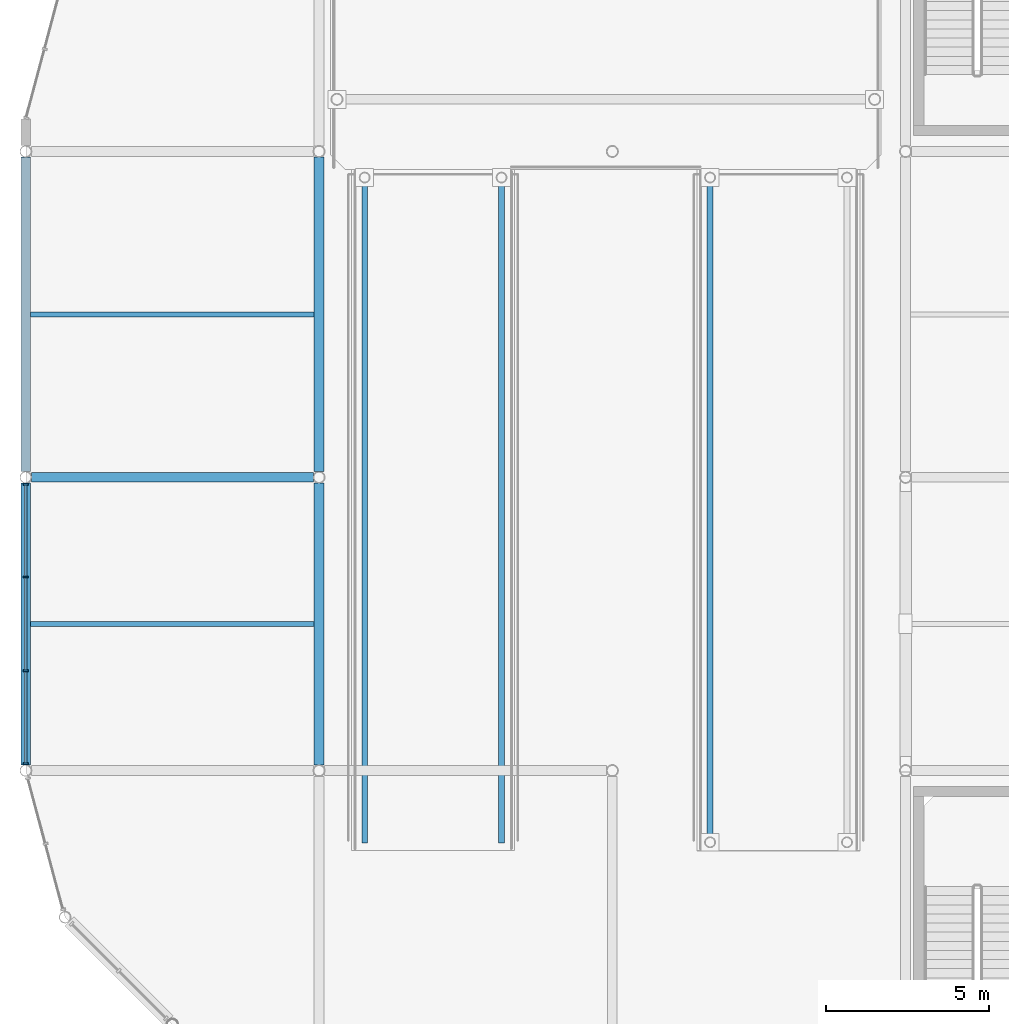
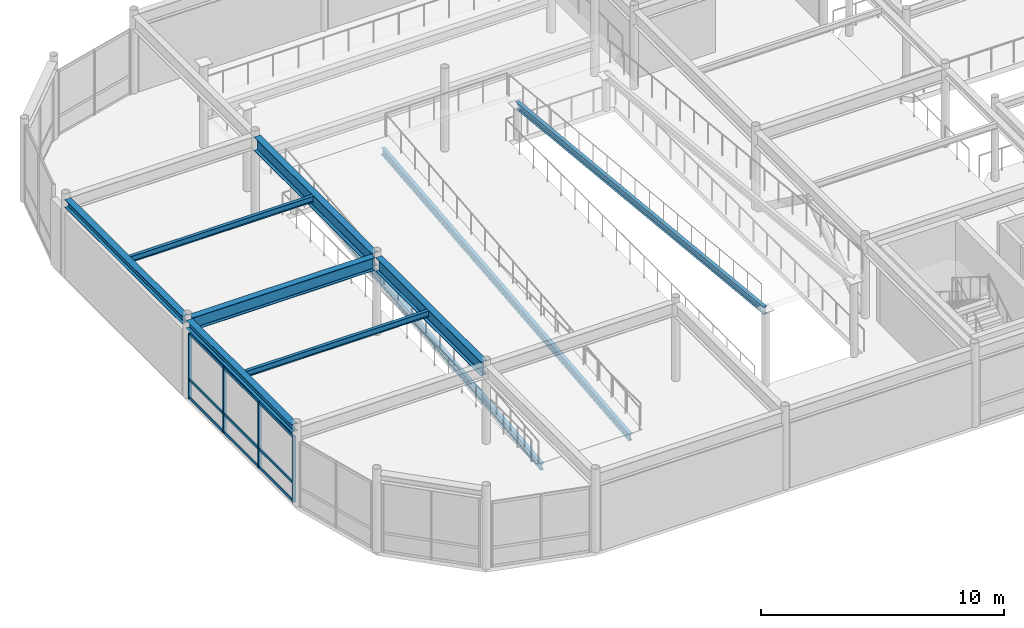
# One storey, part 18 of 70: 13 members, 10 beams, 1 element without a shape of its own.
"""IFC4 building model written with IfcOpenShell, lengths in metres."""

from ifc_helpers import new_model, si_unit, direction, frame, origin, origin_2d, place, context, subcontext, project, spatial, rectangle, i_section, extrude, material, material_profile, profile_set, type_object, element, aggregate, save


model = new_model("IFC4")

# Units and contexts
model_context = context("Model", 3, precision=1e-05, world=origin(), true_north=direction((0.0, 1.0)))
body_context = subcontext(model_context, "Body", "Model", "MODEL_VIEW")
ifc_project = project(units=[si_unit("LENGTHUNIT", "METRE"), si_unit("AREAUNIT", "SQUARE_METRE"), si_unit("VOLUMEUNIT", "CUBIC_METRE"), si_unit("PLANEANGLEUNIT", "RADIAN"), si_unit("MASSUNIT", "GRAM", prefix="KILO")], contexts=[model_context])

# Site, building, storey
site_placement = place(None, origin())
site = spatial("IfcSite", under=ifc_project, at=site_placement, CompositionType="ELEMENT")
building_placement = place(site_placement, origin())
building = spatial("IfcBuilding", under=site, at=building_placement, Name="Suzunagisa Mobility Hub", CompositionType="ELEMENT")
storey_placement = place(building_placement, frame((0.0, 0.0, 13.5)))
storey = spatial("IfcBuildingStorey", under=building, at=storey_placement, Name="L03", CompositionType="ELEMENT", Elevation=13.5)

# Curtain wall, members
ifc_material_1 = material(Name="Thermally Broken Anodized Aluminum and Low-E Glazing", Category="aluminium")
curtain_wall_type = type_object("IfcCurtainWallType", Name="Unitised Curtain Wall CW-12 8750x3300", PredefinedType="USERDEFINED", material=ifc_material_1)
curtain_wall_placement = place(storey_placement, origin())
curtain_wall = element("IfcCurtainWall", 1, at=curtain_wall_placement, inside=storey, type_object=curtain_wall_type, Name="L03 Unitised Curtain Wall CW-79", ObjectType="UNITISED CURTAIN WALL", PredefinedType="USERDEFINED")
ifc_material_2 = material(Name="Anodized Aluminum 6063-T6", Category="aluminium")
ifc_material_profile_1 = material_profile(ifc_material_2, rectangle(XDim=0.06494140625, YDim=0.139892578125, at=origin_2d()), Name="TRAN-65x140")
ifc_profile_set_1 = profile_set([ifc_material_profile_1], Name="Anodized Aluminum 6063-T6")
member_type_1 = type_object("IfcMemberType", Name="Curtain Wall Framing CM-01 TRAN-65x140", PredefinedType="USERDEFINED", material=ifc_profile_set_1)
member_1_placement = place(storey_placement, frame((0.0, 97.76416015625, 0.032470703125), z_axis=(0.0, -1.0, 0.0), x_axis=(1.0, 0.0, 0.0)))
member_1 = element("IfcMember", 2, at=member_1_placement, type_object=member_type_1, Name="Curtain Wall Transom 79-T1.1", ObjectType="TRANSOM", PredefinedType="USERDEFINED", context=body_context, shape_type="SweptSolid", body=[
    extrude(rectangle(XDim=0.06494140625, YDim=0.139892578125, at=origin_2d()), origin(), (0.0, 0.0, 1.0), 2.79541015625),
])
member_2_placement = place(storey_placement, frame((0.0, 97.76416015625, 0.949951171875), z_axis=(0.0, -1.0, 0.0), x_axis=(1.0, 0.0, 0.0)))
member_2 = element("IfcMember", 3, at=member_2_placement, type_object=member_type_1, Name="Curtain Wall Transom 79-T1.2", ObjectType="TRANSOM", PredefinedType="USERDEFINED", context=body_context, shape_type="SweptSolid", body=[
    extrude(rectangle(XDim=0.06494140625, YDim=0.139892578125, at=origin_2d()), origin(), (0.0, 0.0, 1.0), 2.79541015625),
])
member_3_placement = place(storey_placement, frame((0.0, 97.76416015625, 3.267578125), z_axis=(0.0, -1.0, 0.0), x_axis=(1.0, 0.0, 0.0)))
member_3 = element("IfcMember", 4, at=member_3_placement, type_object=member_type_1, Name="Curtain Wall Transom 79-T1.3", ObjectType="TRANSOM", PredefinedType="USERDEFINED", context=body_context, shape_type="SweptSolid", body=[
    extrude(rectangle(XDim=0.06494140625, YDim=0.139892578125, at=origin_2d()), origin(), (0.0, 0.0, 1.0), 2.79541015625),
])
member_4_placement = place(storey_placement, frame((0.0, 94.91259765625, 0.032470703125), z_axis=(0.0, -1.0, 0.0), x_axis=(1.0, 0.0, 0.0)))
member_4 = element("IfcMember", 5, at=member_4_placement, type_object=member_type_1, Name="Curtain Wall Transom 79-T2.1", ObjectType="TRANSOM", PredefinedType="USERDEFINED", context=body_context, shape_type="SweptSolid", body=[
    extrude(rectangle(XDim=0.06494140625, YDim=0.139892578125, at=origin_2d()), origin(), (0.0, 0.0, 1.0), 2.8251953125),
])
member_5_placement = place(storey_placement, frame((0.0, 94.91259765625, 0.949951171875), z_axis=(0.0, -1.0, 0.0), x_axis=(1.0, 0.0, 0.0)))
member_5 = element("IfcMember", 6, at=member_5_placement, type_object=member_type_1, Name="Curtain Wall Transom 79-T2.2", ObjectType="TRANSOM", PredefinedType="USERDEFINED", context=body_context, shape_type="SweptSolid", body=[
    extrude(rectangle(XDim=0.06494140625, YDim=0.139892578125, at=origin_2d()), origin(), (0.0, 0.0, 1.0), 2.8251953125),
])
member_6_placement = place(storey_placement, frame((0.0, 94.91259765625, 3.267578125), z_axis=(0.0, -1.0, 0.0), x_axis=(1.0, 0.0, 0.0)))
member_6 = element("IfcMember", 7, at=member_6_placement, type_object=member_type_1, Name="Curtain Wall Transom 79-T2.3", ObjectType="TRANSOM", PredefinedType="USERDEFINED", context=body_context, shape_type="SweptSolid", body=[
    extrude(rectangle(XDim=0.06494140625, YDim=0.139892578125, at=origin_2d()), origin(), (0.0, 0.0, 1.0), 2.8251953125),
])
member_7_placement = place(storey_placement, frame((0.0, 92.03125, 0.032470703125), z_axis=(0.0, -1.0, 0.0), x_axis=(1.0, 0.0, 0.0)))
member_7 = element("IfcMember", 8, at=member_7_placement, type_object=member_type_1, Name="Curtain Wall Transom 79-T3.1", ObjectType="TRANSOM", PredefinedType="USERDEFINED", context=body_context, shape_type="SweptSolid", body=[
    extrude(rectangle(XDim=0.06494140625, YDim=0.139892578125, at=origin_2d()), origin(), (0.0, 0.0, 1.0), 2.79541015625),
])
member_8_placement = place(storey_placement, frame((0.0, 92.03125, 0.949951171875), z_axis=(0.0, -1.0, 0.0), x_axis=(1.0, 0.0, 0.0)))
member_8 = element("IfcMember", 9, at=member_8_placement, type_object=member_type_1, Name="Curtain Wall Transom 79-T3.2", ObjectType="TRANSOM", PredefinedType="USERDEFINED", context=body_context, shape_type="SweptSolid", body=[
    extrude(rectangle(XDim=0.06494140625, YDim=0.139892578125, at=origin_2d()), origin(), (0.0, 0.0, 1.0), 2.79541015625),
])
member_9_placement = place(storey_placement, frame((0.0, 92.03125, 3.267578125), z_axis=(0.0, -1.0, 0.0), x_axis=(1.0, 0.0, 0.0)))
member_9 = element("IfcMember", 10, at=member_9_placement, type_object=member_type_1, Name="Curtain Wall Transom 79-T3.3", ObjectType="TRANSOM", PredefinedType="USERDEFINED", context=body_context, shape_type="SweptSolid", body=[
    extrude(rectangle(XDim=0.06494140625, YDim=0.139892578125, at=origin_2d()), origin(), (0.0, 0.0, 1.0), 2.79541015625),
])
ifc_material_profile_2 = material_profile(ifc_material_2, rectangle(XDim=0.06005859375, YDim=0.14990234375, at=origin_2d()), Name="MULL-60x150")
ifc_profile_set_2 = profile_set([ifc_material_profile_2], Name="Anodized Aluminum 6063-T6")
member_type_2 = type_object("IfcMemberType", Name="Curtain Wall Framing CM-03 MULL-60x150", PredefinedType="MULLION", material=ifc_profile_set_2)
member_10_placement = place(storey_placement, frame((0.0, 97.792236328125, 0.0), z_axis=(0.0, 0.0, 1.0), x_axis=(0.0, -1.0, 0.0)))
member_10 = element("IfcMember", 11, at=member_10_placement, type_object=member_type_2, Name="Curtain Wall Mullion 79-M1", PredefinedType="MULLION", context=body_context, shape_type="SweptSolid", body=[
    extrude(rectangle(XDim=0.06005859375, YDim=0.14990234375, at=origin_2d()), origin(), (0.0, 0.0, 1.0), 3.300048828125),
])
member_11_placement = place(storey_placement, frame((0.0, 94.940673828125, 0.0), z_axis=(0.0, 0.0, 1.0), x_axis=(0.0, -1.0, 0.0)))
member_11 = element("IfcMember", 12, at=member_11_placement, type_object=member_type_2, Name="Curtain Wall Mullion 79-M2", PredefinedType="MULLION", context=body_context, shape_type="SweptSolid", body=[
    extrude(rectangle(XDim=0.06005859375, YDim=0.14990234375, at=origin_2d()), origin(), (0.0, 0.0, 1.0), 3.300048828125),
])
member_12_placement = place(storey_placement, frame((0.0, 92.059326171875, 0.0), z_axis=(0.0, 0.0, 1.0), x_axis=(0.0, -1.0, 0.0)))
member_12 = element("IfcMember", 13, at=member_12_placement, type_object=member_type_2, Name="Curtain Wall Mullion 79-M3", PredefinedType="MULLION", context=body_context, shape_type="SweptSolid", body=[
    extrude(rectangle(XDim=0.06005859375, YDim=0.14990234375, at=origin_2d()), origin(), (0.0, 0.0, 1.0), 3.300048828125),
])
member_13_placement = place(storey_placement, frame((0.0, 89.207763671875, 0.0), z_axis=(0.0, 0.0, 1.0), x_axis=(0.0, -1.0, 0.0)))
member_13 = element("IfcMember", 14, at=member_13_placement, type_object=member_type_2, Name="Curtain Wall Mullion 79-M4", PredefinedType="MULLION", context=body_context, shape_type="SweptSolid", body=[
    extrude(rectangle(XDim=0.06005859375, YDim=0.14990234375, at=origin_2d()), origin(), (0.0, 0.0, 1.0), 3.300048828125),
])
aggregate(curtain_wall, [member_10, member_11, member_12, member_13, member_1, member_2, member_3, member_4, member_5, member_6, member_7, member_8, member_9])

# Beams
ifc_material_3 = material(Name="Steel SN400B", Category="steel")
ifc_material_profile_3 = material_profile(ifc_material_3, i_section(OverallWidth=0.175048828125, OverallDepth=0.35009765625, WebThickness=0.007080078125, FlangeThickness=0.010986328125, FilletRadius=0.008056640625, at=origin_2d()), Name="H-350x175x7x11")
ifc_profile_set_3 = profile_set([ifc_material_profile_3], Name="Steel SN400B")
beam_type_1 = type_object("IfcBeamType", Name="Steel Beam BM-03 H-350x175x7x11", PredefinedType="JOIST", material=ifc_profile_set_3)
for number, where, z_axis, x_axis, name in (
    (15, (10.39990234375, 86.800048828125, -0.4091796875), (0.0, 0.99498968204, 0.099977660672), (-1.0, 0.0, 0.0), "L03 Vehicle Ramp Stringer Beam VR-06-F1-2327"),
    (16, (14.60009765625, 86.800048828125, -0.4091796875), (0.0, 0.99498968204, 0.099977660672), (-1.0, 0.0, 0.0), "L03 Vehicle Ramp Stringer Beam VR-06-F1-2328"),
    (17, (21.0, 107.199951171875, 1.69091796875), (0.0, -0.994990866518, 0.099965871902), (1.0, 0.0, 0.0), "L03 Vehicle Ramp Stringer Beam VR-06-F2-2329"),
):
    element("IfcBeam", number, at=place(storey_placement, frame(where, z_axis=z_axis, x_axis=x_axis)), inside=storey, type_object=beam_type_1, Name=name, PredefinedType="JOIST", context=body_context, shape_type="SweptSolid", body=[
        extrude(i_section(OverallWidth=0.175048828125, OverallDepth=0.35009765625, WebThickness=0.007080078125, FlangeThickness=0.010986328125, FilletRadius=0.008056640625, at=origin_2d()), origin(), (0.0, 0.0, 1.0), 20.502685546875),
    ])
ifc_material_4 = material(Name="Steel SN490B", Category="steel")
ifc_material_profile_4 = material_profile(ifc_material_4, i_section(OverallWidth=0.300048828125, OverallDepth=0.64990234375, WebThickness=0.012939453125, FlangeThickness=0.02197265625, FilletRadius=0.01611328125, at=origin_2d()), Name="H-650x300x13x22")
ifc_profile_set_4 = profile_set([ifc_material_profile_4], Name="Steel SN490B")
beam_type_2 = type_object("IfcBeamType", Name="Steel Beam BM-10 H-650x300x13x22", PredefinedType="BEAM", material=ifc_profile_set_4)
beam_1_placement = place(storey_placement, frame((0.173828125, 98.0, 3.625), z_axis=(1.0, 0.0, 0.0), x_axis=(0.0, 1.0, 0.0)))
element("IfcBeam", 18, at=beam_1_placement, inside=storey, type_object=beam_type_2, Name="L03 Primary Girder GX-560", PredefinedType="BEAM", context=body_context, shape_type="SweptSolid", body=[
    extrude(i_section(OverallWidth=0.300048828125, OverallDepth=0.64990234375, WebThickness=0.012939453125, FlangeThickness=0.02197265625, FilletRadius=0.01611328125, at=origin_2d()), origin(), (0.0, 0.0, 1.0), 8.65234375),
])
ifc_material_profile_5 = material_profile(ifc_material_4, i_section(OverallWidth=0.300048828125, OverallDepth=0.699951171875, WebThickness=0.012939453125, FlangeThickness=0.02392578125, FilletRadius=0.01806640625, at=origin_2d()), Name="H-700x300x13x24")
ifc_profile_set_5 = profile_set([ifc_material_profile_5], Name="Steel SN490B")
beam_type_3 = type_object("IfcBeamType", Name="Steel Beam BM-11 H-700x300x13x24", PredefinedType="BEAM", material=ifc_profile_set_5)
beam_2_placement = place(storey_placement, frame((9.0, 89.173828125, 3.60009765625), z_axis=(0.0, 1.0, 0.0), x_axis=(-1.0, 0.0, 0.0)))
element("IfcBeam", 19, at=beam_2_placement, inside=storey, type_object=beam_type_3, Name="L03 Primary Girder GY-570", PredefinedType="BEAM", context=body_context, shape_type="SweptSolid", body=[
    extrude(i_section(OverallWidth=0.300048828125, OverallDepth=0.699951171875, WebThickness=0.012939453125, FlangeThickness=0.02392578125, FilletRadius=0.01806640625, at=origin_2d()), origin(), (0.0, 0.0, 1.0), 8.65234375),
])
beam_3_placement = place(storey_placement, frame((9.0, 98.173828125, 3.60009765625), z_axis=(0.0, 1.0, 0.0), x_axis=(-1.0, 0.0, 0.0)))
element("IfcBeam", 20, at=beam_3_placement, inside=storey, type_object=beam_type_3, Name="L03 Primary Girder GY-571", PredefinedType="BEAM", context=body_context, shape_type="SweptSolid", body=[
    extrude(i_section(OverallWidth=0.300048828125, OverallDepth=0.699951171875, WebThickness=0.012939453125, FlangeThickness=0.02392578125, FilletRadius=0.01806640625, at=origin_2d()), origin(), (0.0, 0.0, 1.0), 9.65234375),
])
ifc_material_profile_6 = material_profile(ifc_material_4, i_section(OverallWidth=0.300048828125, OverallDepth=0.389892578125, WebThickness=0.010009765625, FlangeThickness=0.01611328125, FilletRadius=0.012939453125, at=origin_2d()), Name="H-390x300x10x16")
ifc_profile_set_6 = profile_set([ifc_material_profile_6], Name="Steel SN490B")
beam_type_4 = type_object("IfcBeamType", Name="Steel Beam BM-13 H-390x300x10x16", PredefinedType="SPANDREL", material=ifc_profile_set_6)
beam_4_placement = place(storey_placement, frame((0.0, 89.173828125, 3.7548828125), z_axis=(0.0, 1.0, 0.0), x_axis=(-1.0, 0.0, 0.0)))
element("IfcBeam", 21, at=beam_4_placement, inside=storey, type_object=beam_type_4, Name="L03 Primary Girder GY-567", PredefinedType="SPANDREL", context=body_context, shape_type="SweptSolid", body=[
    extrude(i_section(OverallWidth=0.300048828125, OverallDepth=0.389892578125, WebThickness=0.010009765625, FlangeThickness=0.01611328125, FilletRadius=0.012939453125, at=origin_2d()), origin(), (0.0, 0.0, 1.0), 8.65234375),
])
beam_5_placement = place(storey_placement, frame((0.0, 98.173828125, 3.7548828125), z_axis=(0.0, 1.0, 0.0), x_axis=(-1.0, 0.0, 0.0)))
element("IfcBeam", 22, at=beam_5_placement, inside=storey, type_object=beam_type_4, Name="L03 Primary Girder GY-568", PredefinedType="SPANDREL", context=body_context, shape_type="SweptSolid", body=[
    extrude(i_section(OverallWidth=0.300048828125, OverallDepth=0.389892578125, WebThickness=0.010009765625, FlangeThickness=0.01611328125, FilletRadius=0.012939453125, at=origin_2d()), origin(), (0.0, 0.0, 1.0), 9.65234375),
])
ifc_material_profile_7 = material_profile(ifc_material_3, i_section(OverallWidth=0.14990234375, OverallDepth=0.300048828125, WebThickness=0.006591796875, FlangeThickness=0.009033203125, FilletRadius=0.008056640625, at=origin_2d()), Name="H-300x150x6.5x9")
ifc_profile_set_7 = profile_set([ifc_material_profile_7], Name="Steel SN400B")
beam_type_5 = type_object("IfcBeamType", Name="Steel Beam BM-24 H-300x150x6.5x9", PredefinedType="JOIST", material=ifc_profile_set_7)
for number, where, z_axis, x_axis, name in (
    (23, (0.14990234375, 93.5, 3.800048828125), (1.0, 0.0, 0.0), (0.0, 1.0, 0.0), "L03 Composite Floor Joist J-584"),
    (24, (0.14990234375, 103.0, 3.800048828125), (1.0, 0.0, 0.0), (0.0, 1.0, 0.0), "L03 Composite Floor Joist J-585"),
):
    element("IfcBeam", number, at=place(storey_placement, frame(where, z_axis=z_axis, x_axis=x_axis)), inside=storey, type_object=beam_type_5, Name=name, PredefinedType="JOIST", context=body_context, shape_type="SweptSolid", body=[
        extrude(i_section(OverallWidth=0.14990234375, OverallDepth=0.300048828125, WebThickness=0.006591796875, FlangeThickness=0.009033203125, FilletRadius=0.008056640625, at=origin_2d()), origin(), (0.0, 0.0, 1.0), 8.7001953125),
    ])

save(model, "model.ifc")
